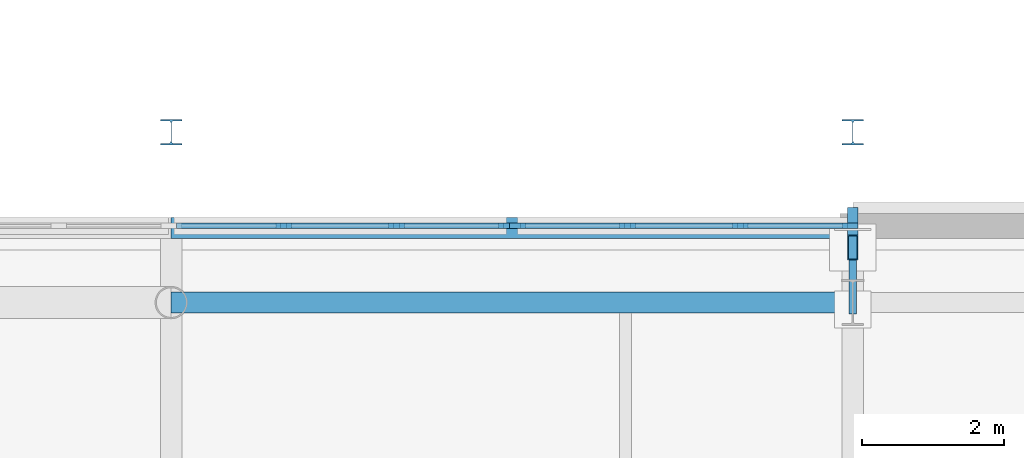
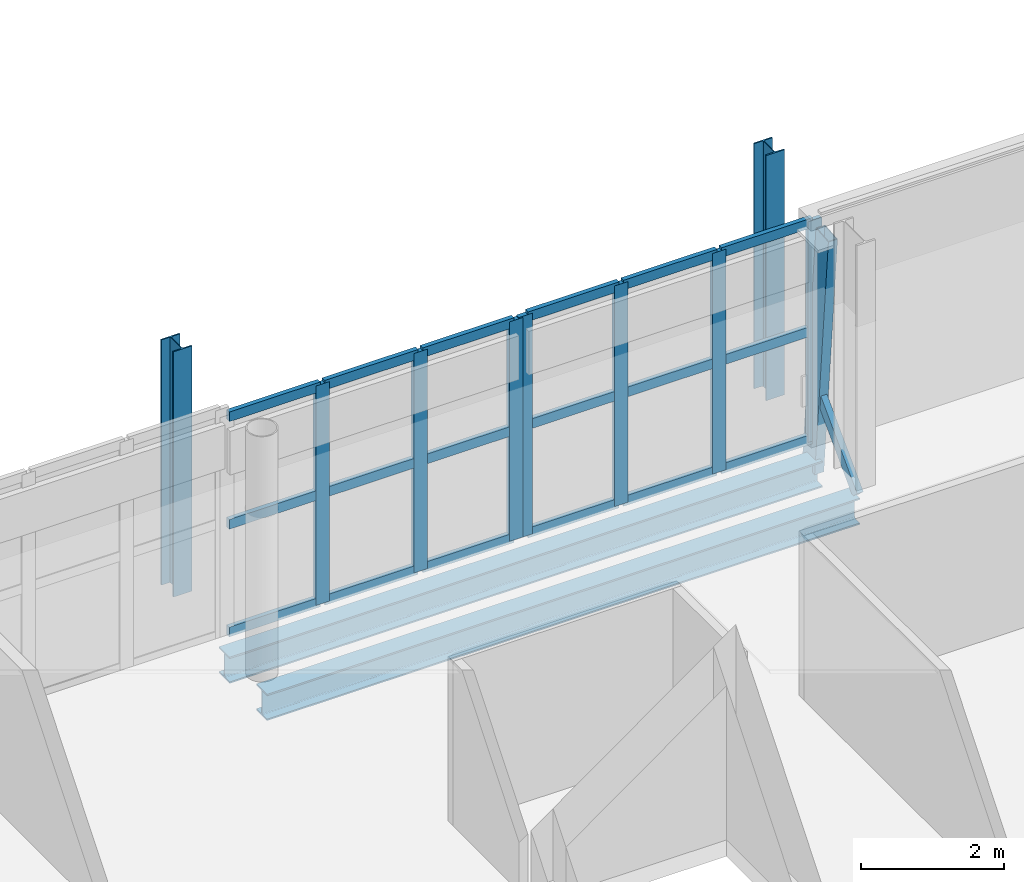
# One storey, part 23 of 57: 29 members, 2 beams, 2 elements without a shape of their own.
"""IFC4 building model written with IfcOpenShell, lengths in metres."""

from ifc_helpers import new_model, si_unit, direction, frame, origin, origin_2d, place, context, subcontext, project, spatial, rectangle, hollow_rectangle, i_section, extrude, material, layer, layer_set, material_profile, profile_set, type_object, element, aggregate, save


model = new_model("IFC4")

# Units and contexts
model_context = context("Model", 3, precision=1e-05, world=origin(), true_north=direction((0.0, 1.0)))
body_context = subcontext(model_context, "Body", "Model", "MODEL_VIEW")
ifc_project = project(units=[si_unit("LENGTHUNIT", "METRE"), si_unit("AREAUNIT", "SQUARE_METRE"), si_unit("VOLUMEUNIT", "CUBIC_METRE"), si_unit("PLANEANGLEUNIT", "RADIAN"), si_unit("MASSUNIT", "GRAM", prefix="KILO")], contexts=[model_context])

# Site, building, storey
site_placement = place(None, origin())
site = spatial("IfcSite", under=ifc_project, at=site_placement, CompositionType="ELEMENT")
building_placement = place(site_placement, origin())
building = spatial("IfcBuilding", under=site, at=building_placement, Name="Zereglee Splitstone Museum", CompositionType="ELEMENT")
storey_placement = place(building_placement, frame((0.0, 0.0, 17.10009765625)))
storey = spatial("IfcBuildingStorey", under=building, at=storey_placement, Name="L03", CompositionType="ELEMENT", Elevation=17.10009765625)

# Curtain wall, members
ifc_material_1 = material(Name="Triple-glazed low-E argon glass and bronze-anodised aluminium", Category="aluminium")
ifc_layer_1 = layer(ifc_material_1, 0.219970703125)
ifc_layer_set_1 = layer_set([ifc_layer_1], Name="Triple-glazed low-E argon glass and bronze-anodised aluminium")
curtain_wall_type_1 = type_object("IfcCurtainWallType", Name="CW-0476-378", PredefinedType="USERDEFINED", material=ifc_layer_set_1)
curtain_wall_1_placement = place(storey_placement, origin())
curtain_wall_1 = element("IfcCurtainWall", 1, at=curtain_wall_1_placement, inside=storey, type_object=curtain_wall_type_1, Name="Glazed Curtain Wall CW-0476-378 (L03)", ObjectType="GLAZED CURTAIN WALL", PredefinedType="USERDEFINED")
ifc_material_2 = material(Name="Thermally broken bronze-anodised aluminium", Category="aluminium")
ifc_material_profile_1 = material_profile(ifc_material_2, rectangle(XDim=0.074951171875, YDim=0.219970703125, at=origin_2d()), Name="CW MULL 75x220")
ifc_profile_set_1 = profile_set([ifc_material_profile_1], Name="Thermally broken bronze-anodised aluminium")
member_type_1 = type_object("IfcMemberType", Name="CWM-02", PredefinedType="MULLION", material=ifc_profile_set_1)
member_1_placement = place(storey_placement, frame((125.96240234375, 51.47998046875, 0.0), z_axis=(0.0, 0.0, 1.0), x_axis=(0.0, -1.0, 0.0)))
member_1 = element("IfcMember", 2, at=member_1_placement, type_object=member_type_1, Name="CW-0476-378 mullion 1", PredefinedType="MULLION", context=body_context, shape_type="SweptSolid", body=[
    extrude(rectangle(XDim=0.074951171875, YDim=0.219970703125, at=origin_2d()), origin(), (0.0, 0.0, 1.0), 3.77978515625),
])
member_2_placement = place(storey_placement, frame((124.413330078125, 51.47998046875, 0.0), z_axis=(0.0, 0.0, 1.0), x_axis=(0.0, -1.0, 0.0)))
member_2 = element("IfcMember", 3, at=member_2_placement, type_object=member_type_1, Name="CW-0476-378 mullion 2", PredefinedType="MULLION", context=body_context, shape_type="SweptSolid", body=[
    extrude(rectangle(XDim=0.074951171875, YDim=0.219970703125, at=origin_2d()), origin(), (0.0, 0.0, 1.0), 3.77978515625),
])
member_3_placement = place(storey_placement, frame((122.82666015625, 51.47998046875, 0.0), z_axis=(0.0, 0.0, 1.0), x_axis=(0.0, -1.0, 0.0)))
member_3 = element("IfcMember", 4, at=member_3_placement, type_object=member_type_1, Name="CW-0476-378 mullion 3", PredefinedType="MULLION", context=body_context, shape_type="SweptSolid", body=[
    extrude(rectangle(XDim=0.074951171875, YDim=0.219970703125, at=origin_2d()), origin(), (0.0, 0.0, 1.0), 3.77978515625),
])
member_4_placement = place(storey_placement, frame((121.277587890625, 51.47998046875, 0.0), z_axis=(0.0, 0.0, 1.0), x_axis=(0.0, -1.0, 0.0)))
member_4 = element("IfcMember", 5, at=member_4_placement, type_object=member_type_1, Name="CW-0476-378 mullion 4", PredefinedType="MULLION", context=body_context, shape_type="SweptSolid", body=[
    extrude(rectangle(XDim=0.074951171875, YDim=0.219970703125, at=origin_2d()), origin(), (0.0, 0.0, 1.0), 3.77978515625),
])

ifc_layer_2 = layer(ifc_material_1, 0.219970703125)
ifc_layer_set_2 = layer_set([ifc_layer_2], Name="Triple-glazed low-E argon glass and bronze-anodised aluminium")
curtain_wall_type_2 = type_object("IfcCurtainWallType", Name="CW-0476-376", PredefinedType="USERDEFINED", material=ifc_layer_set_2)
curtain_wall_2_placement = place(storey_placement, origin())
curtain_wall_2 = element("IfcCurtainWall", 6, at=curtain_wall_2_placement, inside=storey, type_object=curtain_wall_type_2, Name="Glazed Curtain Wall CW-0476-376 (L03)", ObjectType="GLAZED CURTAIN WALL", PredefinedType="USERDEFINED")
member_5_placement = place(storey_placement, frame((121.12255859375, 51.47998046875, 0.0), z_axis=(0.0, 0.0, 1.0), x_axis=(0.0, -1.0, 0.0)))
member_5 = element("IfcMember", 7, at=member_5_placement, type_object=member_type_1, Name="CW-0476-376 mullion 1", PredefinedType="MULLION", context=body_context, shape_type="SweptSolid", body=[
    extrude(rectangle(XDim=0.074951171875, YDim=0.219970703125, at=origin_2d()), origin(), (0.0, 0.0, 1.0), 3.760009765625),
])
member_6_placement = place(storey_placement, frame((119.5732421875, 51.47998046875, 0.0), z_axis=(0.0, 0.0, 1.0), x_axis=(0.0, -1.0, 0.0)))
member_6 = element("IfcMember", 8, at=member_6_placement, type_object=member_type_1, Name="CW-0476-376 mullion 2", PredefinedType="MULLION", context=body_context, shape_type="SweptSolid", body=[
    extrude(rectangle(XDim=0.074951171875, YDim=0.219970703125, at=origin_2d()), origin(), (0.0, 0.0, 1.0), 3.760009765625),
])
member_7_placement = place(storey_placement, frame((117.986572265625, 51.47998046875, 0.0), z_axis=(0.0, 0.0, 1.0), x_axis=(0.0, -1.0, 0.0)))
member_7 = element("IfcMember", 9, at=member_7_placement, type_object=member_type_1, Name="CW-0476-376 mullion 3", PredefinedType="MULLION", context=body_context, shape_type="SweptSolid", body=[
    extrude(rectangle(XDim=0.074951171875, YDim=0.219970703125, at=origin_2d()), origin(), (0.0, 0.0, 1.0), 3.760009765625),
])

# Member
ifc_material_profile_2 = material_profile(ifc_material_2, rectangle(XDim=0.074951171875, YDim=0.1650390625, at=origin_2d()), Name="CW TRAN 75x165")
ifc_profile_set_2 = profile_set([ifc_material_profile_2], Name="Thermally broken bronze-anodised aluminium")
member_type_2 = type_object("IfcMemberType", Name="CWT-02", PredefinedType="USERDEFINED", material=ifc_profile_set_2)
member_8_placement = place(storey_placement, frame((125.925048828125, 51.47998046875, 0.037353515625), z_axis=(-1.0, 0.0, 0.0), x_axis=(0.0, -1.0, 0.0)))
member_8 = element("IfcMember", 10, at=member_8_placement, type_object=member_type_2, Name="CW-0476-378 transom 1.1", ObjectType="TRANSOM", PredefinedType="USERDEFINED", context=body_context, shape_type="SweptSolid", body=[
    extrude(rectangle(XDim=0.074951171875, YDim=0.1650390625, at=origin_2d()), origin(), (0.0, 0.0, 1.0), 1.47412109375),
])

member_9_placement = place(storey_placement, frame((125.925048828125, 51.47998046875, 1.889892578125), z_axis=(-1.0, 0.0, 0.0), x_axis=(0.0, -1.0, 0.0)))
member_9 = element("IfcMember", 11, at=member_9_placement, type_object=member_type_2, Name="CW-0476-378 transom 1.2", ObjectType="TRANSOM", PredefinedType="USERDEFINED", context=body_context, shape_type="SweptSolid", body=[
    extrude(rectangle(XDim=0.074951171875, YDim=0.1650390625, at=origin_2d()), origin(), (0.0, 0.0, 1.0), 1.47412109375),
])

member_10_placement = place(storey_placement, frame((125.925048828125, 51.47998046875, 3.742431640625), z_axis=(-1.0, 0.0, 0.0), x_axis=(0.0, -1.0, 0.0)))
member_10 = element("IfcMember", 12, at=member_10_placement, type_object=member_type_2, Name="CW-0476-378 transom 1.3", ObjectType="TRANSOM", PredefinedType="USERDEFINED", context=body_context, shape_type="SweptSolid", body=[
    extrude(rectangle(XDim=0.074951171875, YDim=0.1650390625, at=origin_2d()), origin(), (0.0, 0.0, 1.0), 1.47412109375),
])

member_11_placement = place(storey_placement, frame((124.375732421875, 51.47998046875, 0.037353515625), z_axis=(-1.0, 0.0, 0.0), x_axis=(0.0, -1.0, 0.0)))
member_11 = element("IfcMember", 13, at=member_11_placement, type_object=member_type_2, Name="CW-0476-378 transom 2.1", ObjectType="TRANSOM", PredefinedType="USERDEFINED", context=body_context, shape_type="SweptSolid", body=[
    extrude(rectangle(XDim=0.074951171875, YDim=0.1650390625, at=origin_2d()), origin(), (0.0, 0.0, 1.0), 1.511474609375),
])

member_12_placement = place(storey_placement, frame((124.375732421875, 51.47998046875, 1.889892578125), z_axis=(-1.0, 0.0, 0.0), x_axis=(0.0, -1.0, 0.0)))
member_12 = element("IfcMember", 14, at=member_12_placement, type_object=member_type_2, Name="CW-0476-378 transom 2.2", ObjectType="TRANSOM", PredefinedType="USERDEFINED", context=body_context, shape_type="SweptSolid", body=[
    extrude(rectangle(XDim=0.074951171875, YDim=0.1650390625, at=origin_2d()), origin(), (0.0, 0.0, 1.0), 1.511474609375),
])

member_13_placement = place(storey_placement, frame((124.375732421875, 51.47998046875, 3.742431640625), z_axis=(-1.0, 0.0, 0.0), x_axis=(0.0, -1.0, 0.0)))
member_13 = element("IfcMember", 15, at=member_13_placement, type_object=member_type_2, Name="CW-0476-378 transom 2.3", ObjectType="TRANSOM", PredefinedType="USERDEFINED", context=body_context, shape_type="SweptSolid", body=[
    extrude(rectangle(XDim=0.074951171875, YDim=0.1650390625, at=origin_2d()), origin(), (0.0, 0.0, 1.0), 1.511474609375),
])

member_14_placement = place(storey_placement, frame((122.7890625, 51.47998046875, 0.037353515625), z_axis=(-1.0, 0.0, 0.0), x_axis=(0.0, -1.0, 0.0)))
member_14 = element("IfcMember", 16, at=member_14_placement, type_object=member_type_2, Name="CW-0476-378 transom 3.1", ObjectType="TRANSOM", PredefinedType="USERDEFINED", context=body_context, shape_type="SweptSolid", body=[
    extrude(rectangle(XDim=0.074951171875, YDim=0.1650390625, at=origin_2d()), origin(), (0.0, 0.0, 1.0), 1.47412109375),
])

member_15_placement = place(storey_placement, frame((122.7890625, 51.47998046875, 1.889892578125), z_axis=(-1.0, 0.0, 0.0), x_axis=(0.0, -1.0, 0.0)))
member_15 = element("IfcMember", 17, at=member_15_placement, type_object=member_type_2, Name="CW-0476-378 transom 3.2", ObjectType="TRANSOM", PredefinedType="USERDEFINED", context=body_context, shape_type="SweptSolid", body=[
    extrude(rectangle(XDim=0.074951171875, YDim=0.1650390625, at=origin_2d()), origin(), (0.0, 0.0, 1.0), 1.47412109375),
])

member_16_placement = place(storey_placement, frame((122.7890625, 51.47998046875, 3.742431640625), z_axis=(-1.0, 0.0, 0.0), x_axis=(0.0, -1.0, 0.0)))
member_16 = element("IfcMember", 18, at=member_16_placement, type_object=member_type_2, Name="CW-0476-378 transom 3.3", ObjectType="TRANSOM", PredefinedType="USERDEFINED", context=body_context, shape_type="SweptSolid", body=[
    extrude(rectangle(XDim=0.074951171875, YDim=0.1650390625, at=origin_2d()), origin(), (0.0, 0.0, 1.0), 1.47412109375),
])

aggregate(curtain_wall_1, [member_1, member_2, member_3, member_4, member_8, member_9, member_10, member_11, member_12, member_13, member_14, member_15, member_16])

member_17_placement = place(storey_placement, frame((121.0849609375, 51.47998046875, 0.037353515625), z_axis=(-1.0, 0.0, 0.0), x_axis=(0.0, -1.0, 0.0)))
member_17 = element("IfcMember", 19, at=member_17_placement, type_object=member_type_2, Name="CW-0476-376 transom 1.1", ObjectType="TRANSOM", PredefinedType="USERDEFINED", context=body_context, shape_type="SweptSolid", body=[
    extrude(rectangle(XDim=0.074951171875, YDim=0.1650390625, at=origin_2d()), origin(), (0.0, 0.0, 1.0), 1.47412109375),
])

member_18_placement = place(storey_placement, frame((121.0849609375, 51.47998046875, 1.8798828125), z_axis=(-1.0, 0.0, 0.0), x_axis=(0.0, -1.0, 0.0)))
member_18 = element("IfcMember", 20, at=member_18_placement, type_object=member_type_2, Name="CW-0476-376 transom 1.2", ObjectType="TRANSOM", PredefinedType="USERDEFINED", context=body_context, shape_type="SweptSolid", body=[
    extrude(rectangle(XDim=0.074951171875, YDim=0.1650390625, at=origin_2d()), origin(), (0.0, 0.0, 1.0), 1.47412109375),
])

member_19_placement = place(storey_placement, frame((121.0849609375, 51.47998046875, 3.722412109375), z_axis=(-1.0, 0.0, 0.0), x_axis=(0.0, -1.0, 0.0)))
member_19 = element("IfcMember", 21, at=member_19_placement, type_object=member_type_2, Name="CW-0476-376 transom 1.3", ObjectType="TRANSOM", PredefinedType="USERDEFINED", context=body_context, shape_type="SweptSolid", body=[
    extrude(rectangle(XDim=0.074951171875, YDim=0.1650390625, at=origin_2d()), origin(), (0.0, 0.0, 1.0), 1.47412109375),
])

member_20_placement = place(storey_placement, frame((119.535888671875, 51.47998046875, 0.037353515625), z_axis=(-1.0, 0.0, 0.0), x_axis=(0.0, -1.0, 0.0)))
member_20 = element("IfcMember", 22, at=member_20_placement, type_object=member_type_2, Name="CW-0476-376 transom 2.1", ObjectType="TRANSOM", PredefinedType="USERDEFINED", context=body_context, shape_type="SweptSolid", body=[
    extrude(rectangle(XDim=0.074951171875, YDim=0.1650390625, at=origin_2d()), origin(), (0.0, 0.0, 1.0), 1.51171875),
])

member_21_placement = place(storey_placement, frame((119.535888671875, 51.47998046875, 1.8798828125), z_axis=(-1.0, 0.0, 0.0), x_axis=(0.0, -1.0, 0.0)))
member_21 = element("IfcMember", 23, at=member_21_placement, type_object=member_type_2, Name="CW-0476-376 transom 2.2", ObjectType="TRANSOM", PredefinedType="USERDEFINED", context=body_context, shape_type="SweptSolid", body=[
    extrude(rectangle(XDim=0.074951171875, YDim=0.1650390625, at=origin_2d()), origin(), (0.0, 0.0, 1.0), 1.51171875),
])

member_22_placement = place(storey_placement, frame((119.535888671875, 51.47998046875, 3.722412109375), z_axis=(-1.0, 0.0, 0.0), x_axis=(0.0, -1.0, 0.0)))
member_22 = element("IfcMember", 24, at=member_22_placement, type_object=member_type_2, Name="CW-0476-376 transom 2.3", ObjectType="TRANSOM", PredefinedType="USERDEFINED", context=body_context, shape_type="SweptSolid", body=[
    extrude(rectangle(XDim=0.074951171875, YDim=0.1650390625, at=origin_2d()), origin(), (0.0, 0.0, 1.0), 1.51171875),
])

member_23_placement = place(storey_placement, frame((117.94921875, 51.47998046875, 0.037353515625), z_axis=(-1.0, 0.0, 0.0), x_axis=(0.0, -1.0, 0.0)))
member_23 = element("IfcMember", 25, at=member_23_placement, type_object=member_type_2, Name="CW-0476-376 transom 3.1", ObjectType="TRANSOM", PredefinedType="USERDEFINED", context=body_context, shape_type="SweptSolid", body=[
    extrude(rectangle(XDim=0.074951171875, YDim=0.1650390625, at=origin_2d()), origin(), (0.0, 0.0, 1.0), 1.47412109375),
])

member_24_placement = place(storey_placement, frame((117.94921875, 51.47998046875, 1.8798828125), z_axis=(-1.0, 0.0, 0.0), x_axis=(0.0, -1.0, 0.0)))
member_24 = element("IfcMember", 26, at=member_24_placement, type_object=member_type_2, Name="CW-0476-376 transom 3.2", ObjectType="TRANSOM", PredefinedType="USERDEFINED", context=body_context, shape_type="SweptSolid", body=[
    extrude(rectangle(XDim=0.074951171875, YDim=0.1650390625, at=origin_2d()), origin(), (0.0, 0.0, 1.0), 1.47412109375),
])

member_25_placement = place(storey_placement, frame((117.94921875, 51.47998046875, 3.722412109375), z_axis=(-1.0, 0.0, 0.0), x_axis=(0.0, -1.0, 0.0)))
member_25 = element("IfcMember", 27, at=member_25_placement, type_object=member_type_2, Name="CW-0476-376 transom 3.3", ObjectType="TRANSOM", PredefinedType="USERDEFINED", context=body_context, shape_type="SweptSolid", body=[
    extrude(rectangle(XDim=0.074951171875, YDim=0.1650390625, at=origin_2d()), origin(), (0.0, 0.0, 1.0), 1.47412109375),
])

aggregate(curtain_wall_2, [member_5, member_6, member_7, member_17, member_18, member_19, member_20, member_21, member_22, member_23, member_24, member_25])

# Members
ifc_material_3 = material(Name="Steel S355J2", Category="steel")
ifc_material_profile_3 = material_profile(ifc_material_3, i_section(OverallWidth=0.300048828125, OverallDepth=0.360107421875, WebThickness=0.012451171875, FlangeThickness=0.0224609375, FilletRadius=0.027099609375, at=origin_2d()), Name="HE 360 B")
ifc_profile_set_3 = profile_set([ifc_material_profile_3], Name="Steel S355J2")
member_type_3 = type_object("IfcMemberType", Name="TC-06", PredefinedType="CHORD", material=ifc_profile_set_3)
for number, where, z_axis, x_axis, name in (
    (28, (116.39990234375, 52.800048828125, 0.0), (0.0, 0.0, 1.0), (1.0, 0.0, 0.0), "Mughal Guldasta Hovering Portal Pier G11 L03"),
    (29, (126.0, 52.800048828125, 0.0), (0.0, 0.0, 1.0), (1.0, 0.0, 0.0), "Mughal Guldasta Hovering Portal Pier G12 L03"),
):
    element("IfcMember", number, at=place(storey_placement, frame(where, z_axis=z_axis, x_axis=x_axis)), inside=storey, type_object=member_type_3, Name=name, PredefinedType="CHORD", context=body_context, shape_type="SweptSolid", body=[
        extrude(i_section(OverallWidth=0.300048828125, OverallDepth=0.360107421875, WebThickness=0.012451171875, FlangeThickness=0.0224609375, FilletRadius=0.027099609375, at=origin_2d()), origin(), (0.0, 0.0, 1.0), 4.199951171875),
    ])

# Beams
ifc_material_profile_4 = material_profile(ifc_material_3, i_section(OverallWidth=0.300048828125, OverallDepth=0.449951171875, WebThickness=0.013916015625, FlangeThickness=0.02587890625, FilletRadius=0.027099609375, at=origin_2d()), Name="HE 450 B")
ifc_profile_set_4 = profile_set([ifc_material_profile_4], Name="Steel S355J2")
beam_type = type_object("IfcBeamType", Name="SP-02", PredefinedType="SPANDREL", material=ifc_profile_set_4)
for number, where, z_axis, x_axis, name in (
    (30, (116.39990234375, 50.39990234375, -0.505126953125), (1.0, 0.0, 0.0), (0.0, 1.0, 0.0), "Primary Girder L03 F (116.4-126.0)"),
    (31, (116.39990234375, 51.449951171875, -0.505126953125), (1.0, 0.0, 0.0), (0.0, 1.0, 0.0), "Hovering Soffit Spandrel L03 (116.4-126.0)"),
):
    element("IfcBeam", number, at=place(storey_placement, frame(where, z_axis=z_axis, x_axis=x_axis)), inside=storey, type_object=beam_type, Name=name, PredefinedType="SPANDREL", context=body_context, shape_type="SweptSolid", body=[
        extrude(i_section(OverallWidth=0.300048828125, OverallDepth=0.449951171875, WebThickness=0.013916015625, FlangeThickness=0.02587890625, FilletRadius=0.027099609375, at=origin_2d()), origin(), (0.0, 0.0, 1.0), 9.60009765625),
    ])

# Members
ifc_material_4 = material(Name="Steel S355J2H", Category="steel")
ifc_material_profile_5 = material_profile(ifc_material_4, hollow_rectangle(XDim=0.14990234375, YDim=0.35009765625, WallThickness=0.012451171875, at=origin_2d()), Name="RHS 350x150x12.5")
ifc_profile_set_5 = profile_set([ifc_material_profile_5], Name="Steel S355J2H")
member_type_4 = type_object("IfcMemberType", Name="FS-R0", PredefinedType="STRUT", material=ifc_profile_set_5)
member_26_placement = place(storey_placement, frame((126.0, 51.56201171875, -0.530029296875), z_axis=(0.0, -0.090914953193, 0.995858660296), x_axis=(1.0, 0.0, 0.0)))
element("IfcMember", 32, at=member_26_placement, inside=storey, type_object=member_type_4, Name="Split-Rock Continuous Facet Strut FH-V2NE L03-01", PredefinedType="STRUT", context=body_context, shape_type="SweptSolid", body=[
    extrude(hollow_rectangle(XDim=0.14990234375, YDim=0.35009765625, WallThickness=0.012451171875, at=origin_2d()), origin(), (0.0, 0.0, 1.0), 4.237548828125),
])
ifc_material_profile_6 = material_profile(ifc_material_4, hollow_rectangle(XDim=0.10009765625, YDim=0.179931640625, WallThickness=0.008056640625, at=origin_2d()), Name="RHS 180x100x8")
ifc_profile_set_6 = profile_set([ifc_material_profile_6], Name="Steel S355J2H")
member_type_5 = type_object("IfcMemberType", Name="FS-T2", PredefinedType="STRUT", material=ifc_profile_set_6)
member_27_placement = place(storey_placement, frame((126.0, 50.300048828125, -0.239990234375), z_axis=(0.0, 0.697696119972, 0.71639383315), x_axis=(-1.0, 0.0, 0.0)))
element("IfcMember", 33, at=member_27_placement, inside=storey, type_object=member_type_5, Name="Facet Tie-Back Strut FH-V2NE L03-01", PredefinedType="STRUT", context=body_context, shape_type="SweptSolid", body=[
    extrude(hollow_rectangle(XDim=0.10009765625, YDim=0.179931640625, WallThickness=0.008056640625, at=origin_2d()), origin(), (0.0, 0.0, 1.0), 1.619140625),
])

save(model, "model.ifc")
